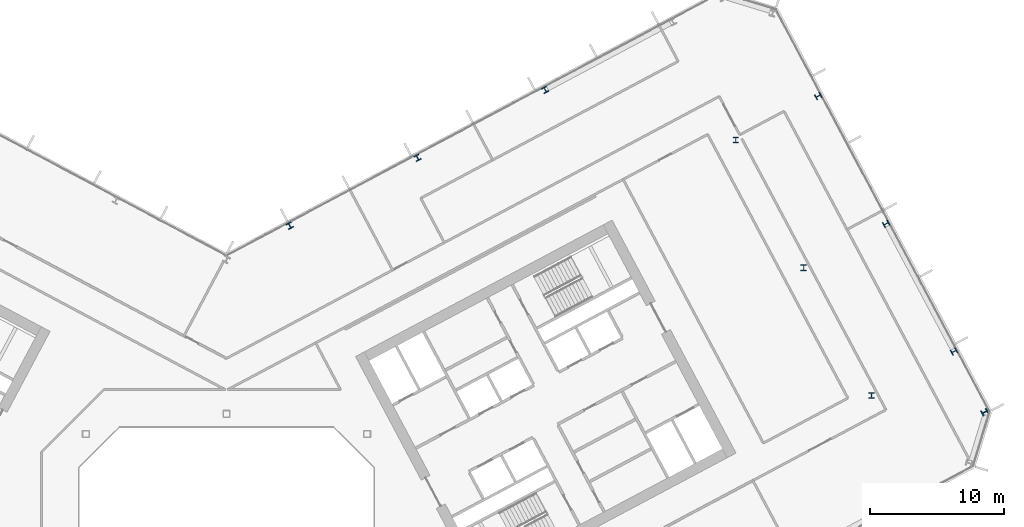
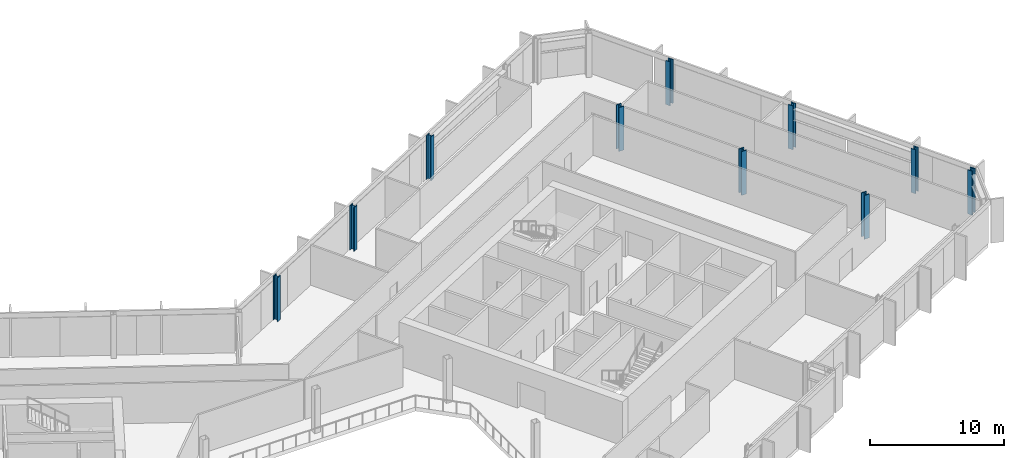
# One storey, part 7 of 28: 10 columns.
"""IFC4 building model written with IfcOpenShell, lengths in metres."""

from ifc_helpers import new_model, si_unit, direction, frame, origin, origin_2d, place, context, subcontext, project, spatial, i_section, extrude, material, material_profile, profile_set, type_object, element, save


model = new_model("IFC4")

# Units and contexts
model_context = context("Model", 3, precision=1e-05, world=origin(), true_north=direction((0.0, 1.0)))
body_context = subcontext(model_context, "Body", "Model", "MODEL_VIEW")
ifc_project = project(units=[si_unit("LENGTHUNIT", "METRE"), si_unit("AREAUNIT", "SQUARE_METRE"), si_unit("VOLUMEUNIT", "CUBIC_METRE"), si_unit("PLANEANGLEUNIT", "RADIAN"), si_unit("MASSUNIT", "GRAM", prefix="KILO")], contexts=[model_context])

# Site, building, storey
site_placement = place(None, origin())
site = spatial("IfcSite", under=ifc_project, at=site_placement, CompositionType="ELEMENT")
building_placement = place(site_placement, origin())
building = spatial("IfcBuilding", under=site, at=building_placement, Name="Cormorant Relay Tower", CompositionType="ELEMENT")
storey_placement = place(building_placement, frame((0.0, 0.0, 138.199951171875)))
storey = spatial("IfcBuildingStorey", under=building, at=storey_placement, Name="L28", CompositionType="ELEMENT", Elevation=138.199951171875)

# Columns
ifc_material_1 = material(Name="Steel ASTM A992 (Fy 345 MPa)", Category="steel")
ifc_material_profile_1 = material_profile(ifc_material_1, i_section(OverallWidth=0.41162109375, OverallDepth=0.434326171875, WebThickness=0.035888671875, FlangeThickness=0.057373046875, FilletRadius=0.01513671875, at=origin_2d()), Name="W360x463")
ifc_profile_set_1 = profile_set([ifc_material_profile_1], Name="Steel ASTM A992 (Fy 345 MPa)")
column_type_1 = type_object("IfcColumnType", Name="Column W360x463", PredefinedType="COLUMN", material=ifc_profile_set_1)
for number, where, z_axis, x_axis, name in (
    (1, (54.321044921875, 16.65087890625, 0.0), (0.0, 0.0, 1.0), (-0.469471562786, 0.882947592859, 0.0), "Column L28-029"),
    (2, (4.72509765625, 26.047119140625, 0.0), (0.0, 0.0, 1.0), (-0.882947592859, -0.469471562786, 0.0), "Column L28-034"),
    (3, (49.2509765625, 26.18701171875, 0.0), (0.0, 0.0, 1.0), (-0.469471562786, 0.882947592859, 0.0), "Column L28-035"),
    (4, (14.260986328125, 31.116943359375, 0.0), (0.0, 0.0, 1.0), (-0.882947592859, -0.469471562786, 0.0), "Column L28-038"),
    (5, (44.180908203125, 35.722900390625, 0.0), (0.0, 0.0, 1.0), (-0.469471562786, 0.882947592859, 0.0), "Column L28-042"),
    (6, (23.7958984375, 36.18798828125, 0.0), (0.0, 0.0, 1.0), (-0.882947592859, -0.469471562786, 0.0), "Column L28-043"),
):
    element("IfcColumn", number, at=place(storey_placement, frame(where, z_axis=z_axis, x_axis=x_axis)), inside=storey, type_object=column_type_1, Name=name, PredefinedType="COLUMN", context=body_context, shape_type="SweptSolid", body=[
        extrude(i_section(OverallWidth=0.41162109375, OverallDepth=0.434326171875, WebThickness=0.035888671875, FlangeThickness=0.057373046875, FilletRadius=0.01513671875, at=origin_2d()), origin(), (0.0, 0.0, 1.0), 4.0),
    ])
ifc_material_2 = material(Name="Steel ASTM A992 (Fy 345 MPa)", Category="steel")
ifc_material_profile_2 = material_profile(ifc_material_2, i_section(OverallWidth=0.42431640625, OverallDepth=0.47509765625, WebThickness=0.0478515625, FlangeThickness=0.0771484375, FilletRadius=0.014892578125, at=origin_2d()), Name="W360x634")
ifc_profile_set_2 = profile_set([ifc_material_profile_2], Name="Steel ASTM A992 (Fy 345 MPa)")
column_type_2 = type_object("IfcColumnType", Name="Column W360x634", PredefinedType="COLUMN", material=ifc_profile_set_2)
for number, where, z_axis, x_axis, name in (
    (7, (56.60791015625, 12.1298828125, 0.0), (0.0, 0.0, 1.0), (-0.469471562786, 0.882947592859, 0.0), "Column L28-026"),
    (8, (48.157958984375, 13.3740234375, 0.0), (0.0, 0.0, 1.0), (1.0, 0.0, 0.0), "Column L28-027"),
    (9, (43.087890625, 22.909912109375, 0.0), (0.0, 0.0, 1.0), (1.0, 0.0, 0.0), "Column L28-031"),
    (10, (38.01806640625, 32.446044921875, 0.0), (0.0, 0.0, 1.0), (1.0, 0.0, 0.0), "Column L28-039"),
):
    element("IfcColumn", number, at=place(storey_placement, frame(where, z_axis=z_axis, x_axis=x_axis)), inside=storey, type_object=column_type_2, Name=name, PredefinedType="COLUMN", context=body_context, shape_type="SweptSolid", body=[
        extrude(i_section(OverallWidth=0.42431640625, OverallDepth=0.47509765625, WebThickness=0.0478515625, FlangeThickness=0.0771484375, FilletRadius=0.014892578125, at=origin_2d()), origin(), (0.0, 0.0, 1.0), 4.0),
    ])

save(model, "model.ifc")
